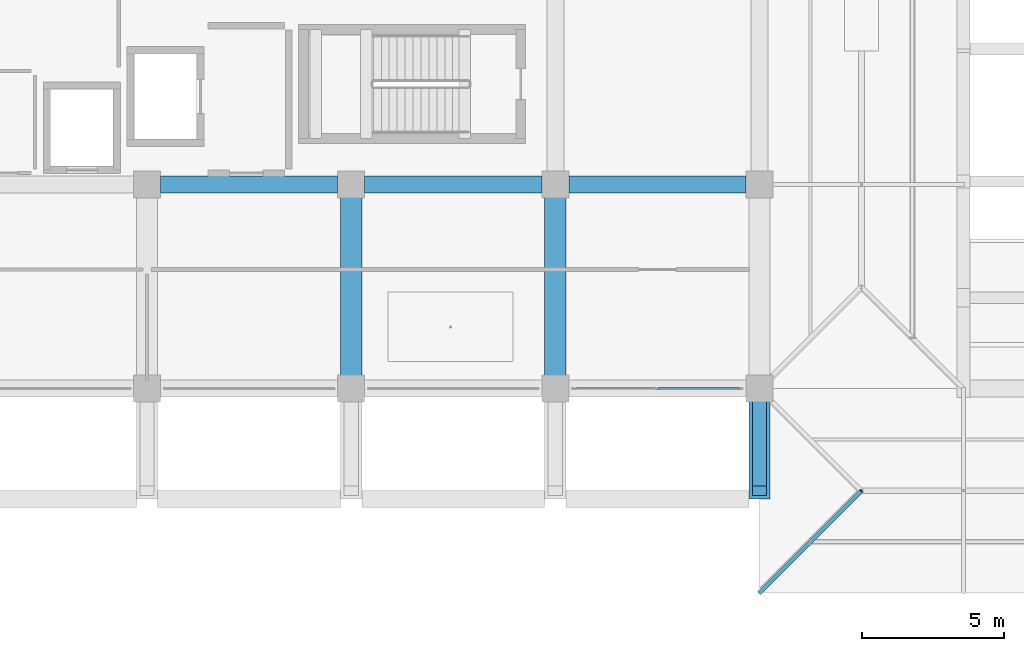
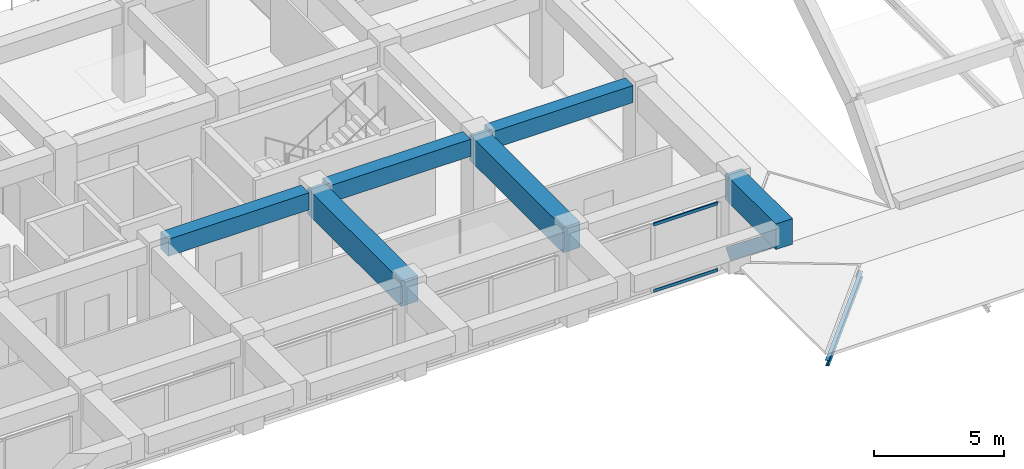
# One storey, part 17 of 54: 6 beams, 4 members, 1 element without a shape of its own.
"""IFC4 building model written with IfcOpenShell, lengths in metres."""

from ifc_helpers import new_model, si_unit, direction, frame, origin, origin_2d, place, context, subcontext, project, spatial, rectangle, hollow_rectangle, i_section, extrude, material, material_profile, profile_set, type_object, element, aggregate, save


model = new_model("IFC4")

# Units and contexts
model_context = context("Model", 3, precision=1e-05, world=origin(), true_north=direction((0.0, 1.0)))
body_context = subcontext(model_context, "Body", "Model", "MODEL_VIEW")
ifc_project = project(units=[si_unit("LENGTHUNIT", "METRE"), si_unit("AREAUNIT", "SQUARE_METRE"), si_unit("VOLUMEUNIT", "CUBIC_METRE"), si_unit("PLANEANGLEUNIT", "RADIAN"), si_unit("MASSUNIT", "GRAM", prefix="KILO")], contexts=[model_context])

# Site, building, storey
site_placement = place(None, origin())
site = spatial("IfcSite", under=ifc_project, at=site_placement, CompositionType="ELEMENT")
building_placement = place(site_placement, origin())
building = spatial("IfcBuilding", under=site, at=building_placement, Name="Kazehaya Institute of Natural Sciences", CompositionType="ELEMENT")
storey_placement = place(building_placement, frame((0.0, 0.0, 10.43994140625)))
storey = spatial("IfcBuildingStorey", under=building, at=storey_placement, Name="L02", CompositionType="ELEMENT", Elevation=10.43994140625)

# Beams
ifc_material_1 = material(Name="Concrete Fc36", Category="concrete")
ifc_material_profile_1 = material_profile(ifc_material_1, rectangle(XDim=0.60009765625, YDim=0.800048828125, at=origin_2d()), Name="RC-600x800")
ifc_profile_set_1 = profile_set([ifc_material_profile_1], Name="Concrete Fc36")
beam_type_1 = type_object("IfcBeamType", Name="BM-G-600x800", PredefinedType="BEAM", material=ifc_profile_set_1)
for number, where, z_axis, x_axis, name in (
    (1, (98.27490234375, 21.199951171875, 4.010009765625), (1.0, 0.0, 0.0), (0.0, 1.0, 0.0), "L02 primary X girder BMX-L02-978-212"),
    (2, (105.47509765625, 21.199951171875, 4.010009765625), (1.0, 0.0, 0.0), (0.0, 1.0, 0.0), "L02 primary X girder BMX-L02-1050-212"),
    (3, (112.675048828125, 21.199951171875, 4.010009765625), (1.0, 0.0, 0.0), (0.0, 1.0, 0.0), "L02 primary X girder BMX-L02-1122-212"),
):
    element("IfcBeam", number, at=place(storey_placement, frame(where, z_axis=z_axis, x_axis=x_axis)), inside=storey, type_object=beam_type_1, Name=name, PredefinedType="BEAM", context=body_context, shape_type="SweptSolid", body=[
        extrude(rectangle(XDim=0.60009765625, YDim=0.800048828125, at=origin_2d()), origin(), (0.0, 0.0, 1.0), 6.25),
    ])
ifc_material_2 = material(Name="Concrete Fc42", Category="concrete")
ifc_material_profile_2 = material_profile(ifc_material_2, rectangle(XDim=0.75, YDim=1.199951171875, at=origin_2d()), Name="RC-750x1200")
ifc_profile_set_2 = profile_set([ifc_material_profile_2], Name="Concrete Fc42")
beam_type_2 = type_object("IfcBeamType", Name="BM-TG-750x1200", PredefinedType="BEAM", material=ifc_profile_set_2)
for number, where, z_axis, x_axis, name in (
    (4, (105.0, 14.0, 3.81005859375), (0.0, 1.0, 0.0), (-1.0, 0.0, 0.0), "L02 transfer girder back-span 1255"),
    (5, (112.199951171875, 14.0, 3.81005859375), (0.0, 1.0, 0.0), (-1.0, 0.0, 0.0), "L02 transfer girder back-span 1265"),
):
    element("IfcBeam", number, at=place(storey_placement, frame(where, z_axis=z_axis, x_axis=x_axis)), inside=storey, type_object=beam_type_2, Name=name, PredefinedType="BEAM", context=body_context, shape_type="SweptSolid", body=[
        extrude(rectangle(XDim=0.75, YDim=1.199951171875, at=origin_2d()), origin(), (0.0, 0.0, 1.0), 7.199951171875),
    ])
beam_placement = place(storey_placement, frame((119.39990234375, 10.10009765625, 3.81005859375), z_axis=(0.0, 1.0, 0.0), x_axis=(-1.0, 0.0, 0.0)))
element("IfcBeam", 6, at=beam_placement, inside=storey, type_object=beam_type_2, Name="L02 cantilever transfer girder 1279", PredefinedType="BEAM", context=body_context, shape_type="SweptSolid", body=[
    extrude(rectangle(XDim=0.75, YDim=1.199951171875, at=origin_2d()), origin(), (0.0, 0.0, 1.0), 3.89990234375),
])

# Curtain wall, members
ifc_material_3 = material(Name="Aluminium alloy A6063S-T5", Category="aluminium")
curtain_wall_type = type_object("IfcCurtainWallType", Name="CW-SYS-03", PredefinedType="NOTDEFINED", material=ifc_material_3)
curtain_wall_placement = place(storey_placement, origin())
curtain_wall = element("IfcCurtainWall", 7, at=curtain_wall_placement, inside=storey, type_object=curtain_wall_type, Name="L02 unitised curtain wall CW-L02-048", PredefinedType="NOTDEFINED")
ifc_material_profile_3 = material_profile(ifc_material_3, hollow_rectangle(XDim=0.06005859375, YDim=0.139892578125, WallThickness=0.00341796875, at=origin_2d()), Name="ALU-60x140x3.5")
ifc_profile_set_3 = profile_set([ifc_material_profile_3], Name="Aluminium alloy A6063S-T5")
member_type_1 = type_object("IfcMemberType", Name="CWT-140", PredefinedType="USERDEFINED", material=ifc_profile_set_3)
member_1_placement = place(storey_placement, frame((118.699951171875, 14.0, 0.030029296875), z_axis=(-1.0, 0.0, 0.0), x_axis=(0.0, -1.0, 0.0)))
member_1 = element("IfcMember", 8, at=member_1_placement, type_object=member_type_1, Name="CW03 transom 1.1", ObjectType="TRANSOM", PredefinedType="USERDEFINED", context=body_context, shape_type="SweptSolid", body=[
    extrude(hollow_rectangle(XDim=0.06005859375, YDim=0.139892578125, WallThickness=0.00341796875, at=origin_2d()), origin(), (0.0, 0.0, 1.0), 2.869873046875),
])
member_2_placement = place(storey_placement, frame((118.699951171875, 14.0, 3.150146484375), z_axis=(-1.0, 0.0, 0.0), x_axis=(0.0, -1.0, 0.0)))
member_2 = element("IfcMember", 9, at=member_2_placement, type_object=member_type_1, Name="CW03 transom 1.2", ObjectType="TRANSOM", PredefinedType="USERDEFINED", context=body_context, shape_type="SweptSolid", body=[
    extrude(hollow_rectangle(XDim=0.06005859375, YDim=0.139892578125, WallThickness=0.00341796875, at=origin_2d()), origin(), (0.0, 0.0, 1.0), 2.869873046875),
])
aggregate(curtain_wall, [member_1, member_2])

# Members
ifc_material_4 = material(Name="Structural steel SN490B", Category="steel")
ifc_material_profile_4 = material_profile(ifc_material_4, i_section(OverallWidth=0.14990234375, OverallDepth=0.300048828125, WebThickness=0.006591796875, FlangeThickness=0.009033203125, FilletRadius=0.012939453125, at=origin_2d()), Name="H-300x150x6.5x9")
ifc_profile_set_4 = profile_set([ifc_material_profile_4], Name="Structural steel SN490B")
member_type_2 = type_object("IfcMemberType", Name="MEM-RAF-H300", PredefinedType="RAFTER", material=ifc_profile_set_4)
member_3_placement = place(storey_placement, frame((119.39990234375, 6.800048828125, -0.25), z_axis=(0.699218488609, 0.699171071107, 0.14917546217), x_axis=(-0.707082803744, 0.707130757816, 0.0)))
element("IfcMember", 10, at=member_3_placement, inside=storey, type_object=member_type_2, Name="ROOF-VOL1-FOYER corner hip rafter SW", PredefinedType="RAFTER", context=body_context, shape_type="SweptSolid", body=[
    extrude(i_section(OverallWidth=0.14990234375, OverallDepth=0.300048828125, WebThickness=0.006591796875, FlangeThickness=0.009033203125, FilletRadius=0.012939453125, at=origin_2d()), origin(), (0.0, 0.0, 1.0), 5.148681640625),
])
ifc_material_profile_5 = material_profile(ifc_material_2, rectangle(XDim=0.5, YDim=0.550048828125, at=origin_2d()), Name="RC-500x550")
ifc_profile_set_5 = profile_set([ifc_material_profile_5], Name="Concrete Fc42")
member_type_3 = type_object("IfcMemberType", Name="MEM-STRUT-RC500", PredefinedType="BRACE", material=ifc_profile_set_5)
member_4_placement = place(storey_placement, frame((119.39990234375, 14.0, 0.60009765625), z_axis=(0.0, -0.783008919264, 0.622010476079), x_axis=(1.0, 0.0, 0.0)))
element("IfcMember", 11, at=member_4_placement, inside=storey, type_object=member_type_3, Name="L02 raked cantilever strut 010", PredefinedType="BRACE", context=body_context, shape_type="SweptSolid", body=[
    extrude(rectangle(XDim=0.5, YDim=0.550048828125, at=origin_2d()), origin(), (0.0, 0.0, 1.0), 4.59765625),
])

save(model, "model.ifc")
